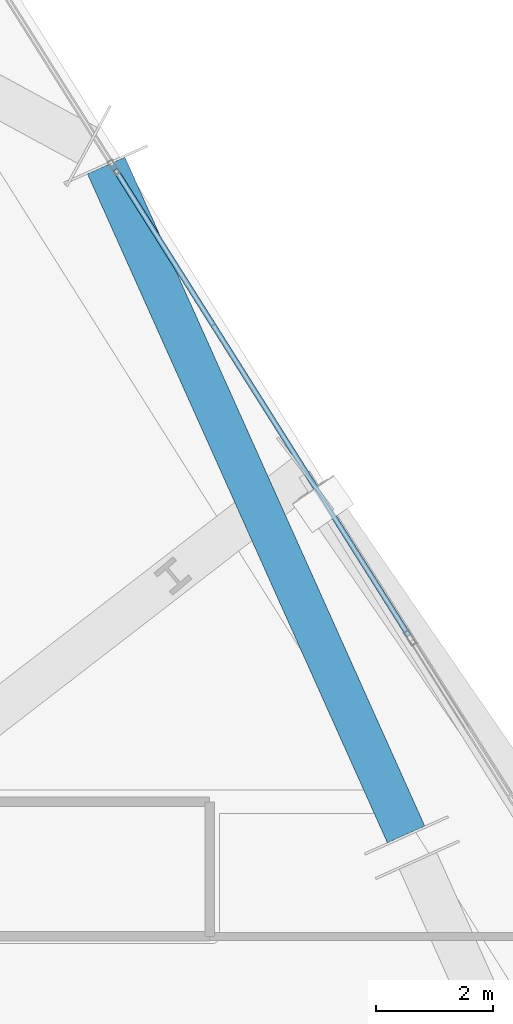
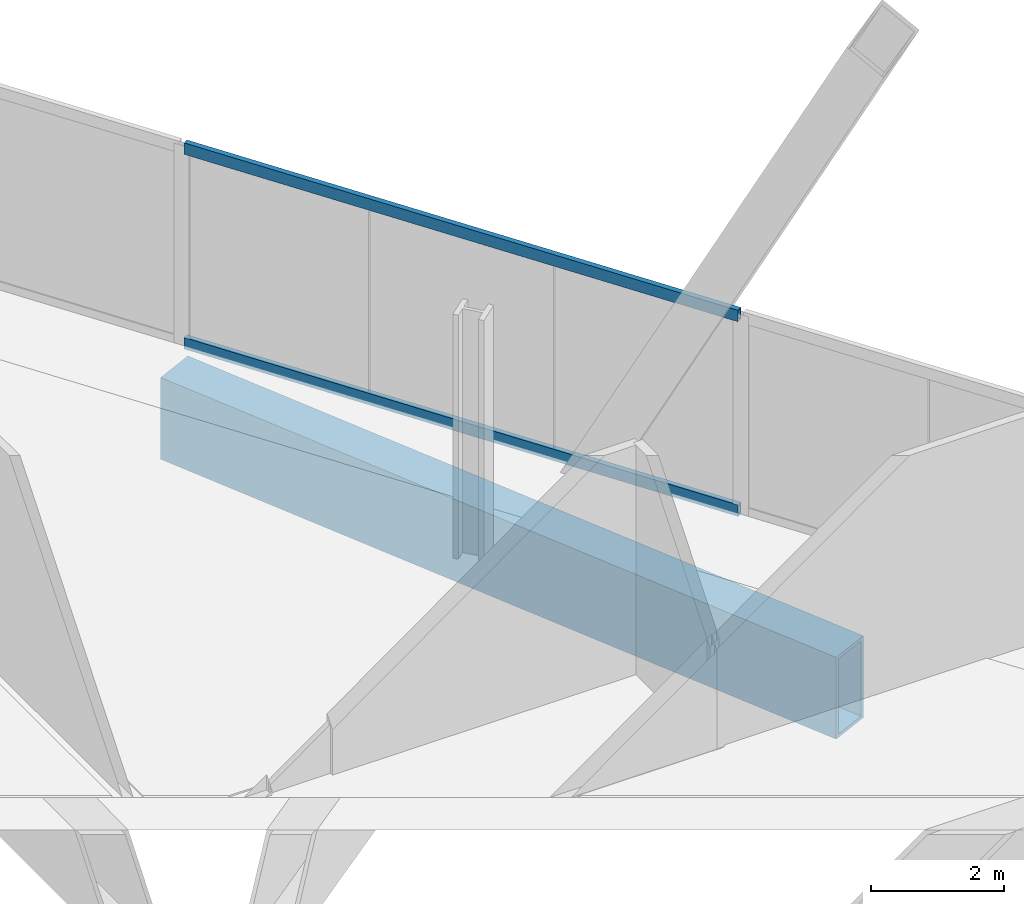
# One storey, part 18 of 29: 2 members, 1 beam, 1 element without a shape of its own.
"""IFC4 building model written with IfcOpenShell, lengths in metres."""

from ifc_helpers import new_model, si_unit, direction, frame, origin, origin_2d, place, context, subcontext, project, spatial, hollow_rectangle, extrude, material, material_profile, profile_set, type_object, element, aggregate, save


model = new_model("IFC4")

# Units and contexts
model_context = context("Model", 3, precision=1e-05, world=origin(), true_north=direction((0.0, 1.0)))
body_context = subcontext(model_context, "Body", "Model", "MODEL_VIEW")
ifc_project = project(units=[si_unit("LENGTHUNIT", "METRE"), si_unit("AREAUNIT", "SQUARE_METRE"), si_unit("VOLUMEUNIT", "CUBIC_METRE"), si_unit("PLANEANGLEUNIT", "RADIAN"), si_unit("MASSUNIT", "GRAM", prefix="KILO")], contexts=[model_context])

# Site, building, storey
site_placement = place(None, origin())
site = spatial("IfcSite", under=ifc_project, at=site_placement, CompositionType="ELEMENT")
building_placement = place(site_placement, origin())
building = spatial("IfcBuilding", under=site, at=building_placement, Name="Haldenkirk Collegiate Tower", CompositionType="ELEMENT")
storey_placement = place(building_placement, frame((0.0, 0.0, 136.199951171875)))
storey = spatial("IfcBuildingStorey", under=building, at=storey_placement, Name="L33", CompositionType="ELEMENT", Elevation=136.199951171875)

# Beam
ifc_material_1 = material(Name="Steel ASTM A572 Grade 50", Category="steel")
ifc_material_profile_1 = material_profile(ifc_material_1, hollow_rectangle(XDim=0.699951171875, YDim=1.5, WallThickness=0.06005859375, at=origin_2d()), Name="BOX1500X700X60")
ifc_profile_set_1 = profile_set([ifc_material_profile_1], Name="Steel ASTM A572 Grade 50")
beam_type = type_object("IfcBeamType", Name="BM-TRANSFER-BOX1500X700X60", PredefinedType="BEAM", material=ifc_profile_set_1)
beam_placement = place(storey_placement, frame((57.15478515625, 35.89111328125, -1.14990234375), z_axis=(-0.409131464477, 0.912475448861, 0.0), x_axis=(-0.912475448861, -0.409131464477, 0.0)))
element("IfcBeam", 1, at=beam_placement, inside=storey, type_object=beam_type, Name="L33 sky-lobby perimeter transfer girder 07", PredefinedType="BEAM", context=body_context, shape_type="SweptSolid", body=[
    extrude(hollow_rectangle(XDim=0.699951171875, YDim=1.5, WallThickness=0.06005859375, at=origin_2d()), origin(), (0.0, 0.0, 1.0), 12.524169921875),
])

# Curtain wall, members
ifc_material_2 = material(Name="Anodised architectural bronze aluminium", Category="aluminium")
curtain_wall_type = type_object("IfcCurtainWallType", Name="CW-SYS4-SKYGARDEN", PredefinedType="USERDEFINED", material=ifc_material_2)
curtain_wall_placement = place(storey_placement, origin())
curtain_wall = element("IfcCurtainWall", 2, at=curtain_wall_placement, inside=storey, type_object=curtain_wall_type, Name="L33 Sky-garden tall bronze curtain wall", ObjectType="UNITISED CURTAIN WALL", PredefinedType="USERDEFINED")
ifc_material_profile_2 = material_profile(ifc_material_2, hollow_rectangle(XDim=0.090087890625, YDim=0.2099609375, WallThickness=0.0048828125, at=origin_2d()), Name="CW-TRN-04")
ifc_profile_set_2 = profile_set([ifc_material_profile_2], Name="Anodised architectural bronze aluminium")
member_type = type_object("IfcMemberType", Name="CW-TRN-04", PredefinedType="USERDEFINED", material=ifc_profile_set_2)
member_1_placement = place(storey_placement, frame((52.186767578125, 47.248779296875, 0.045166015625), z_axis=(0.532880704143, -0.846190377605, 0.0), x_axis=(0.846190377605, 0.532880704143, 0.0)))
member_1 = element("IfcMember", 3, at=member_1_placement, type_object=member_type, Name="CW-04 transom 2.1", ObjectType="TRANSOM", PredefinedType="USERDEFINED", context=body_context, shape_type="SweptSolid", body=[
    extrude(hollow_rectangle(XDim=0.090087890625, YDim=0.2099609375, WallThickness=0.0048828125, at=origin_2d()), origin(), (0.0, 0.0, 1.0), 9.409912109375),
])
member_2_placement = place(storey_placement, frame((52.186767578125, 47.248779296875, 3.615966796875), z_axis=(0.532880704143, -0.846190377605, 0.0), x_axis=(0.846190377605, 0.532880704143, 0.0)))
member_2 = element("IfcMember", 4, at=member_2_placement, type_object=member_type, Name="CW-04 transom 2.2", ObjectType="TRANSOM", PredefinedType="USERDEFINED", context=body_context, shape_type="SweptSolid", body=[
    extrude(hollow_rectangle(XDim=0.090087890625, YDim=0.2099609375, WallThickness=0.0048828125, at=origin_2d()), origin(), (0.0, 0.0, 1.0), 9.409912109375),
])
aggregate(curtain_wall, [member_1, member_2])

save(model, "model.ifc")
